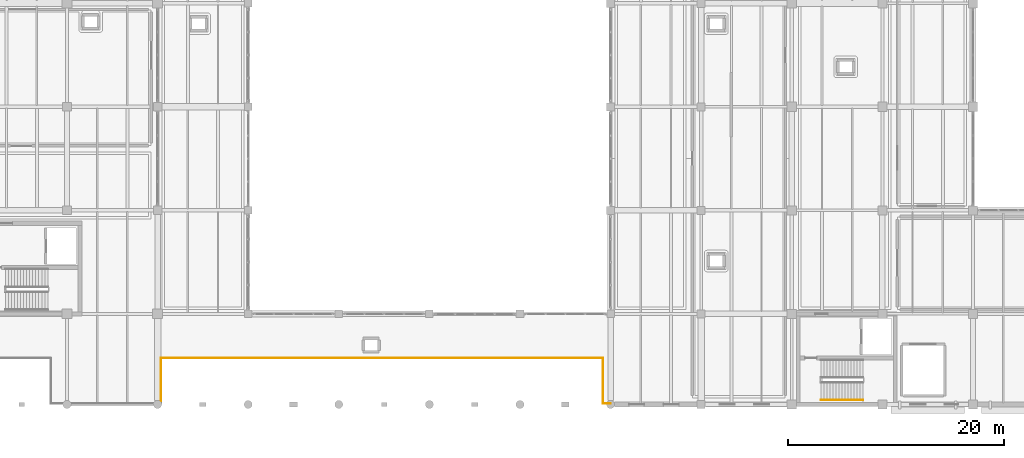
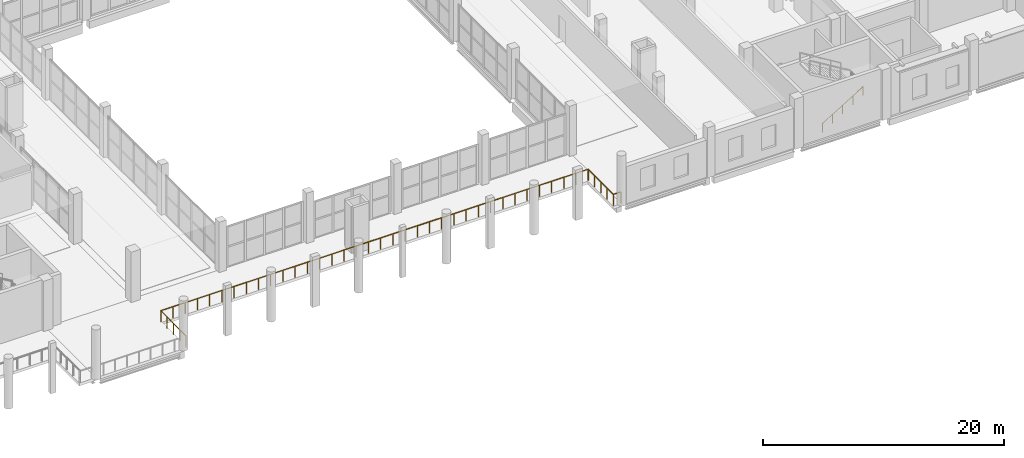
# One storey, part 61 of 66: 3 railings.
"""IFC4 building model written with IfcOpenShell, lengths in metres."""

from ifc_helpers import new_model, si_unit, direction, frame, origin, origin_2d, place, context, subcontext, project, spatial, circle, extrude, material, layer, layer_set, type_object, element, save


model = new_model("IFC4")

# Units and contexts
model_context = context("Model", 3, precision=1e-05, world=origin(), true_north=direction((0.0, 1.0)))
body_context = subcontext(model_context, "Body", "Model", "MODEL_VIEW")
ifc_project = project(units=[si_unit("LENGTHUNIT", "METRE"), si_unit("AREAUNIT", "SQUARE_METRE"), si_unit("VOLUMEUNIT", "CUBIC_METRE"), si_unit("PLANEANGLEUNIT", "RADIAN"), si_unit("MASSUNIT", "GRAM", prefix="KILO")], contexts=[model_context])

# Site, building, storey
site_placement = place(None, origin())
site = spatial("IfcSite", under=ifc_project, at=site_placement, CompositionType="ELEMENT")
building_placement = place(site_placement, origin())
building = spatial("IfcBuilding", under=site, at=building_placement, Name="Zulmaris Art Gallery", CompositionType="ELEMENT")
storey_placement = place(building_placement, frame((0.0, 0.0, 5.39990234375)))
storey = spatial("IfcBuildingStorey", under=building, at=storey_placement, Name="L01", CompositionType="ELEMENT", Elevation=5.39990234375)

# Railings
ifc_material_1 = material(Name="Bronze & Laminated Glass Balustrade", Category="glass")
ifc_layer_1 = layer(ifc_material_1, 0.070068359375)
ifc_layer_set_1 = layer_set([ifc_layer_1], Name="Bronze & Laminated Glass Balustrade")
railing_type_1 = type_object("IfcRailingType", Name="RAIL-BAL01", PredefinedType="BALUSTRADE", material=ifc_layer_set_1)
railing_1_placement = place(storey_placement, frame((124.10009765625, 13.300048828125, 0.0)))
element("IfcRailing", 1, at=railing_1_placement, inside=storey, type_object=railing_type_1, Name="L01 V2 South East Corner Balustrade", PredefinedType="BALUSTRADE", context=body_context, shape_type="SweptSolid", body=[
    extrude(circle(Radius=0.02392578125, at=origin_2d()), frame((0.0, 0.0, 1.1357421875), z_axis=(1.0, 0.0, 0.0), x_axis=(0.0, 1.0, 0.0)), (0.0, 0.0, 1.0), 0.699951171875),
    extrude(circle(Radius=0.02099609375, at=origin_2d()), origin(), (0.0, 0.0, 1.0), 1.11181640625),
    extrude(circle(Radius=0.02099609375, at=origin_2d()), frame((0.699951171875, 0.0, 0.0)), (0.0, 0.0, 1.0), 1.11181640625),
])
railing_2_placement = place(storey_placement, frame((83.10009765625, 13.300048828125, 0.0)))
element("IfcRailing", 2, at=railing_2_placement, inside=storey, type_object=railing_type_1, Name="L01 Colonnade Void Guard E", PredefinedType="BALUSTRADE", context=body_context, shape_type="SweptSolid", body=[
    extrude(circle(Radius=0.02392578125, at=origin_2d()), frame((0.0, 0.0, 1.1357421875), z_axis=(0.0, 1.0, 0.0), x_axis=(-1.0, 0.0, 0.0)), (0.0, 0.0, 1.0), 4.199951171875),
    extrude(circle(Radius=0.02392578125, at=origin_2d()), frame((0.0, 4.199951171875, 1.1357421875), z_axis=(1.0, 0.0, 0.0), x_axis=(0.0, 1.0, 0.0)), (0.0, 0.0, 1.0), 41.0),
    extrude(circle(Radius=0.02392578125, at=origin_2d()), frame((41.0, 4.199951171875, 1.1357421875), z_axis=(0.0, -1.0, 0.0), x_axis=(1.0, 0.0, 0.0)), (0.0, 0.0, 1.0), 4.199951171875),
    extrude(circle(Radius=0.02099609375, at=origin_2d()), origin(), (0.0, 0.0, 1.0), 1.11181640625),
    extrude(circle(Radius=0.02099609375, at=origin_2d()), frame((0.0, 1.050048828125, 0.0)), (0.0, 0.0, 1.0), 1.11181640625),
    extrude(circle(Radius=0.02099609375, at=origin_2d()), frame((0.0, 2.10009765625, 0.0)), (0.0, 0.0, 1.0), 1.11181640625),
    extrude(circle(Radius=0.02099609375, at=origin_2d()), frame((0.0, 3.14990234375, 0.0)), (0.0, 0.0, 1.0), 1.11181640625),
    extrude(circle(Radius=0.02099609375, at=origin_2d()), frame((0.0, 4.199951171875, 0.0)), (0.0, 0.0, 1.0), 1.11181640625),
    extrude(circle(Radius=0.02099609375, at=origin_2d()), frame((1.17138671875, 4.199951171875, 0.0)), (0.0, 0.0, 1.0), 1.11181640625),
    extrude(circle(Radius=0.02099609375, at=origin_2d()), frame((2.3427734375, 4.199951171875, 0.0)), (0.0, 0.0, 1.0), 1.11181640625),
    extrude(circle(Radius=0.02099609375, at=origin_2d()), frame((3.514404296875, 4.199951171875, 0.0)), (0.0, 0.0, 1.0), 1.11181640625),
    extrude(circle(Radius=0.02099609375, at=origin_2d()), frame((4.685791015625, 4.199951171875, 0.0)), (0.0, 0.0, 1.0), 1.11181640625),
    extrude(circle(Radius=0.02099609375, at=origin_2d()), frame((5.857177734375, 4.199951171875, 0.0)), (0.0, 0.0, 1.0), 1.11181640625),
    extrude(circle(Radius=0.02099609375, at=origin_2d()), frame((7.028564453125, 4.199951171875, 0.0)), (0.0, 0.0, 1.0), 1.11181640625),
    extrude(circle(Radius=0.02099609375, at=origin_2d()), frame((8.199951171875, 4.199951171875, 0.0)), (0.0, 0.0, 1.0), 1.11181640625),
    extrude(circle(Radius=0.02099609375, at=origin_2d()), frame((9.371337890625, 4.199951171875, 0.0)), (0.0, 0.0, 1.0), 1.11181640625),
    extrude(circle(Radius=0.02099609375, at=origin_2d()), frame((10.54296875, 4.199951171875, 0.0)), (0.0, 0.0, 1.0), 1.11181640625),
    extrude(circle(Radius=0.02099609375, at=origin_2d()), frame((11.71435546875, 4.199951171875, 0.0)), (0.0, 0.0, 1.0), 1.11181640625),
    extrude(circle(Radius=0.02099609375, at=origin_2d()), frame((12.8857421875, 4.199951171875, 0.0)), (0.0, 0.0, 1.0), 1.11181640625),
    extrude(circle(Radius=0.02099609375, at=origin_2d()), frame((14.05712890625, 4.199951171875, 0.0)), (0.0, 0.0, 1.0), 1.11181640625),
    extrude(circle(Radius=0.02099609375, at=origin_2d()), frame((15.228515625, 4.199951171875, 0.0)), (0.0, 0.0, 1.0), 1.11181640625),
    extrude(circle(Radius=0.02099609375, at=origin_2d()), frame((16.39990234375, 4.199951171875, 0.0)), (0.0, 0.0, 1.0), 1.11181640625),
    extrude(circle(Radius=0.02099609375, at=origin_2d()), frame((17.571533203125, 4.199951171875, 0.0)), (0.0, 0.0, 1.0), 1.11181640625),
    extrude(circle(Radius=0.02099609375, at=origin_2d()), frame((18.742919921875, 4.199951171875, 0.0)), (0.0, 0.0, 1.0), 1.11181640625),
    extrude(circle(Radius=0.02099609375, at=origin_2d()), frame((19.914306640625, 4.199951171875, 0.0)), (0.0, 0.0, 1.0), 1.11181640625),
    extrude(circle(Radius=0.02099609375, at=origin_2d()), frame((21.085693359375, 4.199951171875, 0.0)), (0.0, 0.0, 1.0), 1.11181640625),
    extrude(circle(Radius=0.02099609375, at=origin_2d()), frame((22.257080078125, 4.199951171875, 0.0)), (0.0, 0.0, 1.0), 1.11181640625),
    extrude(circle(Radius=0.02099609375, at=origin_2d()), frame((23.428466796875, 4.199951171875, 0.0)), (0.0, 0.0, 1.0), 1.11181640625),
    extrude(circle(Radius=0.02099609375, at=origin_2d()), frame((24.60009765625, 4.199951171875, 0.0)), (0.0, 0.0, 1.0), 1.11181640625),
    extrude(circle(Radius=0.02099609375, at=origin_2d()), frame((25.771484375, 4.199951171875, 0.0)), (0.0, 0.0, 1.0), 1.11181640625),
    extrude(circle(Radius=0.02099609375, at=origin_2d()), frame((26.94287109375, 4.199951171875, 0.0)), (0.0, 0.0, 1.0), 1.11181640625),
    extrude(circle(Radius=0.02099609375, at=origin_2d()), frame((28.1142578125, 4.199951171875, 0.0)), (0.0, 0.0, 1.0), 1.11181640625),
    extrude(circle(Radius=0.02099609375, at=origin_2d()), frame((29.28564453125, 4.199951171875, 0.0)), (0.0, 0.0, 1.0), 1.11181640625),
    extrude(circle(Radius=0.02099609375, at=origin_2d()), frame((30.45703125, 4.199951171875, 0.0)), (0.0, 0.0, 1.0), 1.11181640625),
    extrude(circle(Radius=0.02099609375, at=origin_2d()), frame((31.628662109375, 4.199951171875, 0.0)), (0.0, 0.0, 1.0), 1.11181640625),
    extrude(circle(Radius=0.02099609375, at=origin_2d()), frame((32.800048828125, 4.199951171875, 0.0)), (0.0, 0.0, 1.0), 1.11181640625),
    extrude(circle(Radius=0.02099609375, at=origin_2d()), frame((33.971435546875, 4.199951171875, 0.0)), (0.0, 0.0, 1.0), 1.11181640625),
    extrude(circle(Radius=0.02099609375, at=origin_2d()), frame((35.142822265625, 4.199951171875, 0.0)), (0.0, 0.0, 1.0), 1.11181640625),
    extrude(circle(Radius=0.02099609375, at=origin_2d()), frame((36.314208984375, 4.199951171875, 0.0)), (0.0, 0.0, 1.0), 1.11181640625),
    extrude(circle(Radius=0.02099609375, at=origin_2d()), frame((37.485595703125, 4.199951171875, 0.0)), (0.0, 0.0, 1.0), 1.11181640625),
    extrude(circle(Radius=0.02099609375, at=origin_2d()), frame((38.6572265625, 4.199951171875, 0.0)), (0.0, 0.0, 1.0), 1.11181640625),
    extrude(circle(Radius=0.02099609375, at=origin_2d()), frame((39.82861328125, 4.199951171875, 0.0)), (0.0, 0.0, 1.0), 1.11181640625),
    extrude(circle(Radius=0.02099609375, at=origin_2d()), frame((41.0, 4.199951171875, 0.0)), (0.0, 0.0, 1.0), 1.11181640625),
    extrude(circle(Radius=0.02099609375, at=origin_2d()), frame((41.0, 3.14990234375, 0.0)), (0.0, 0.0, 1.0), 1.11181640625),
    extrude(circle(Radius=0.02099609375, at=origin_2d()), frame((41.0, 2.10009765625, 0.0)), (0.0, 0.0, 1.0), 1.11181640625),
    extrude(circle(Radius=0.02099609375, at=origin_2d()), frame((41.0, 1.050048828125, 0.0)), (0.0, 0.0, 1.0), 1.11181640625),
    extrude(circle(Radius=0.02099609375, at=origin_2d()), frame((41.0, 0.0, 0.0)), (0.0, 0.0, 1.0), 1.11181640625),
])
ifc_material_2 = material(Name="Brushed Bronze Handrail", Category="steel")
ifc_layer_2 = layer(ifc_material_2, 0.048095703125)
ifc_layer_set_2 = layer_set([ifc_layer_2], Name="Brushed Bronze Handrail")
railing_type_2 = type_object("IfcRailingType", Name="RAIL-STHND", PredefinedType="HANDRAIL", material=ifc_layer_set_2)
railing_3_placement = place(storey_placement, frame((144.300048828125, 13.60009765625, 0.170166015625)))
element("IfcRailing", 3, at=railing_3_placement, inside=storey, type_object=railing_type_2, Name="L01 ST3 stair handrail 1", PredefinedType="HANDRAIL", context=body_context, shape_type="SweptSolid", body=[
    extrude(circle(Radius=0.02392578125, at=origin_2d()), frame((0.0, 0.0, 0.8759765625), z_axis=(0.854794262968, 0.0, 0.518967020143), x_axis=(0.0, 1.0, 0.0)), (0.0, 0.0, 1.0), 4.585693359375),
    extrude(circle(Radius=0.02099609375, at=origin_2d()), origin(), (0.0, 0.0, 1.0), 0.851806640625),
    extrude(circle(Radius=0.02099609375, at=origin_2d()), frame((0.97998046875, 0.0, 0.594970703125)), (0.0, 0.0, 1.0), 0.851806640625),
    extrude(circle(Radius=0.02099609375, at=origin_2d()), frame((1.9599609375, 0.0, 1.18994140625)), (0.0, 0.0, 1.0), 0.851806640625),
    extrude(circle(Radius=0.02099609375, at=origin_2d()), frame((2.93994140625, 0.0, 1.784912109375)), (0.0, 0.0, 1.0), 0.851806640625),
    extrude(circle(Radius=0.02099609375, at=origin_2d()), frame((3.919921875, 0.0, 2.3798828125)), (0.0, 0.0, 1.0), 0.851806640625),
])

save(model, "model.ifc")
